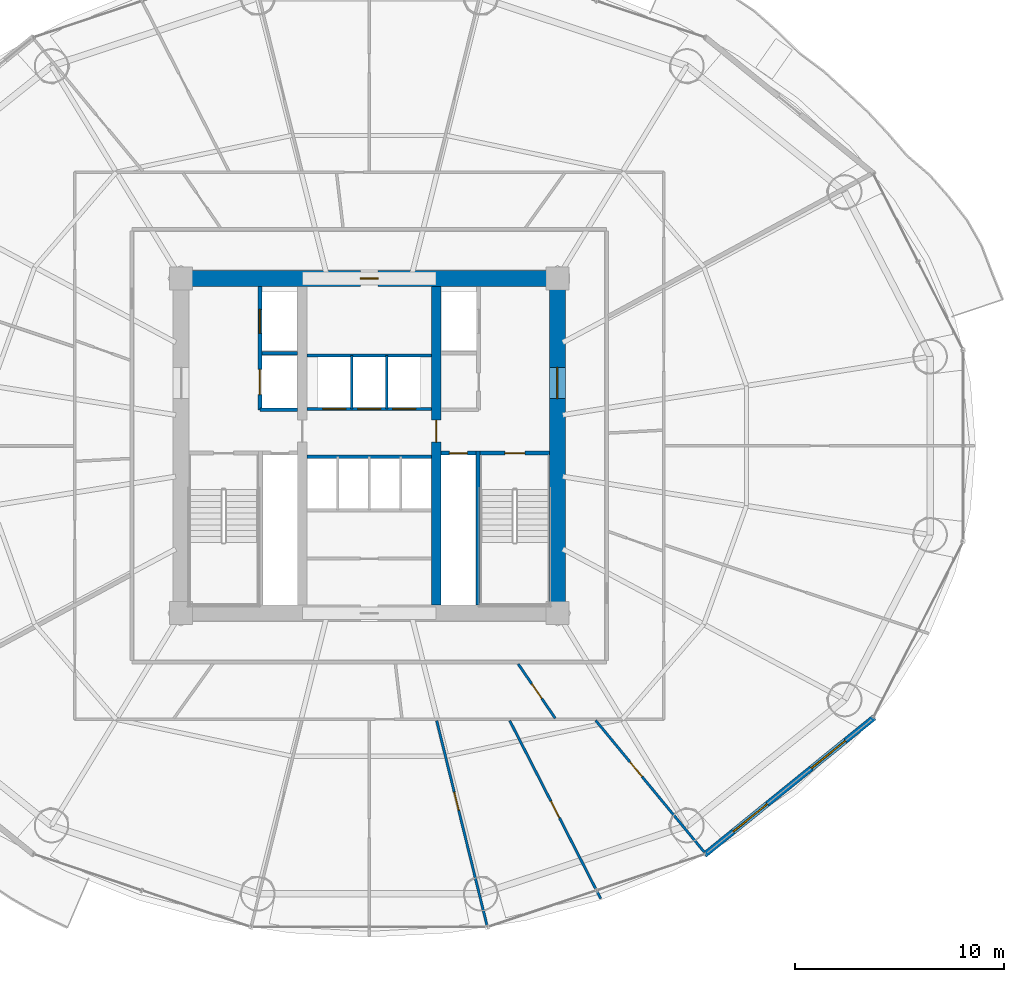
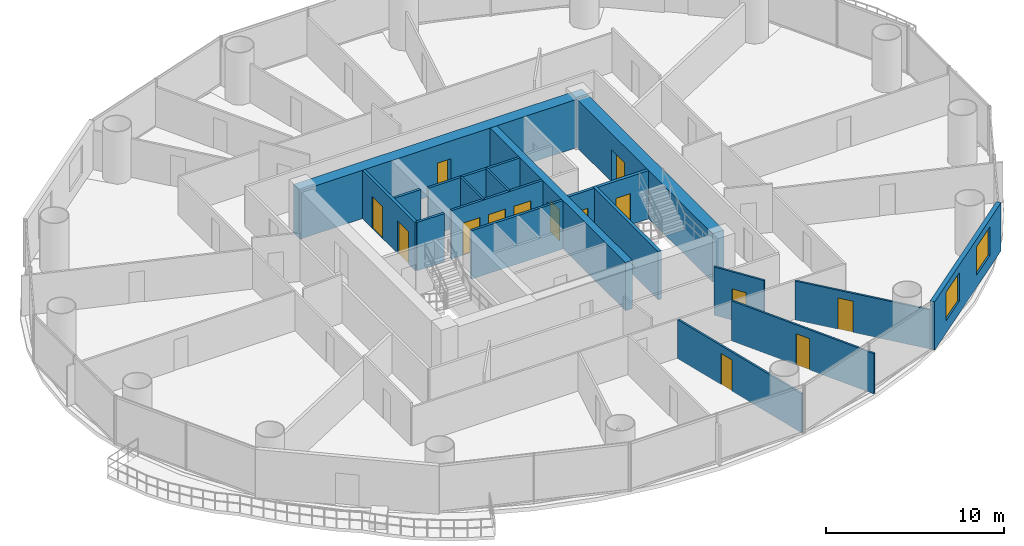
# One storey, part 24 of 30: 19 walls, 14 doors, 2 windows, 16 openings.
"""IFC4 building model written with IfcOpenShell, lengths in metres."""

from ifc_helpers import new_model, si_unit, direction, frame, frame_2d, origin, place, context, subcontext, project, spatial, rectangle, extrude, source, transform, mapped, material, layer, layer_set, type_object, element, fill, save


model = new_model("IFC4")

# Units and contexts
model_context = context("Model", 3, precision=1e-05, world=origin(), true_north=direction((-0.2419218956, 0.970295726276)))
body_context = subcontext(model_context, "Body", "Model", "MODEL_VIEW")
ifc_project = project(units=[si_unit("LENGTHUNIT", "METRE"), si_unit("AREAUNIT", "SQUARE_METRE"), si_unit("VOLUMEUNIT", "CUBIC_METRE"), si_unit("PLANEANGLEUNIT", "RADIAN"), si_unit("MASSUNIT", "GRAM", prefix="KILO")], contexts=[model_context])

# Site, building, storey
site_placement = place(None, origin())
site = spatial("IfcSite", under=ifc_project, at=site_placement, CompositionType="ELEMENT")
building_placement = place(site_placement, origin())
building = spatial("IfcBuilding", under=site, at=building_placement, Name="Cobrevalo Terracotta Tower", CompositionType="ELEMENT")
storey_placement = place(building_placement, frame((0.0, 0.0, 63.60009765625)))
storey = spatial("IfcBuildingStorey", under=building, at=storey_placement, Name="L16", CompositionType="ELEMENT", Elevation=63.60009765625)

# Wall, opening, door
ifc_material_1 = material(Name="Concrete C60", Category="concrete")
ifc_layer_1 = layer(ifc_material_1, 0.75)
ifc_layer_set_1 = layer_set([ifc_layer_1], Name="Concrete C60")
wall_type_1 = type_object("IfcWallType", Name="Core shear wall 750 mm Concrete C60", PredefinedType="SHEAR", material=ifc_layer_set_1)
wall_1_placement = place(storey_placement, frame((28.625, 34.800048828125, 0.0), z_axis=(0.0, 0.0, 1.0), x_axis=(1.0, 0.0, 0.0)))
wall_1 = element("IfcWall", 1, at=wall_1_placement, inside=storey, type_object=wall_type_1, Name="L16 north core shear wall", PredefinedType="SHEAR", context=body_context, shape_type="SweptSolid", body=[
    extrude(rectangle(XDim=18.75, YDim=0.75, at=frame_2d((9.375, 0.0))), origin(), (0.0, 0.0, 1.0), 3.31982421875),
])
opening_1_placement = place(wall_1_placement, frame((8.949951171875, 0.0, 0.0)))
opening_1 = element("IfcOpeningElement", 2, at=opening_1_placement, cuts=wall_1, Name="Opening ID-22", PredefinedType="OPENING", context=body_context, shape_type="SweptSolid", body=[
    extrude(rectangle(XDim=0.85009765625, YDim=2.10009765625, at=frame_2d((0.425048828125, 1.050048828125))), frame((0.0, 0.385009765625, 0.0), z_axis=(0.0, -1.0, 0.0), x_axis=(1.0, 0.0, 0.0)), (0.0, 0.0, 1.0), 0.77001953125),
])
ifc_material_2 = material(Name="Powder-coated steel", Category="steel")
door_type_1 = type_object("IfcDoorType", Name="Riser shaft & meter closet fire access door 850x2100 EI 60", OperationType="NOTDEFINED", PredefinedType="DOOR", material=ifc_material_2)
shared_shape_1 = source(origin(), body_context, "Body", "SweptSolid", [
    extrude(rectangle(XDim=0.85009765625, YDim=2.10009765625, at=frame_2d((0.425048828125, 1.050048828125))), frame((0.0, 0.02490234375, 0.0), z_axis=(0.0, -1.0, 0.0), x_axis=(1.0, 0.0, 0.0)), (0.0, 0.0, 1.0), 0.050048828125),
])
door_1_placement = place(opening_1_placement, frame((0.85009765625, 0.0, 0.0), z_axis=(0.0, 0.0, 1.0), x_axis=(-1.0, 0.0, 0.0)))
door_1 = element("IfcDoor", 3, at=door_1_placement, inside=storey, type_object=door_type_1, Name="L16 core north service door Floor Electrical Switchroom", OperationType="SINGLE_SWING_LEFT", OverallHeight=2.10009765625, OverallWidth=0.85009765625, PredefinedType="DOOR", context=body_context, shape_type="MappedRepresentation", body=[
    mapped(shared_shape_1, transform((0.0, 0.0, 0.0), scale=1.0)),
])
fill(opening_1, door_1)

wall_2_placement = place(storey_placement, frame((47.0, 19.175048828125, 0.0), z_axis=(0.0, 0.0, 1.0), x_axis=(0.0, 1.0, 0.0)))
wall_2 = element("IfcWall", 4, at=wall_2_placement, inside=storey, type_object=wall_type_1, Name="L16 east core shear wall", PredefinedType="SHEAR", context=body_context, shape_type="SweptSolid", body=[
    extrude(rectangle(XDim=15.25, YDim=0.75, at=frame_2d((7.625, 0.0))), origin(), (0.0, 0.0, 1.0), 3.31982421875),
])
opening_2_placement = place(wall_2_placement, frame((9.875, 0.0, 0.0)))
opening_2 = element("IfcOpeningElement", 5, at=opening_2_placement, cuts=wall_2, Name="Opening ID-14", PredefinedType="OPENING", context=body_context, shape_type="SweptSolid", body=[
    extrude(rectangle(XDim=1.5, YDim=2.199951171875, at=frame_2d((0.75, 1.10009765625))), frame((0.0, 0.385009765625, 0.0), z_axis=(0.0, -1.0, 0.0), x_axis=(1.0, 0.0, 0.0)), (0.0, 0.0, 1.0), 0.77001953125),
])
ifc_material_3 = material(Name="Galvanized fire-rated steel", Category="steel")
door_type_2 = type_object("IfcDoorType", Name="Core cross-lobby double fire door 1500x2200 EI 90", OperationType="NOTDEFINED", PredefinedType="DOOR", material=ifc_material_3)
shared_shape_2 = source(origin(), body_context, "Body", "SweptSolid", [
    extrude(rectangle(XDim=1.5, YDim=2.199951171875, at=frame_2d((0.75, 1.10009765625))), frame((0.0, 0.02490234375, 0.0), z_axis=(0.0, -1.0, 0.0), x_axis=(1.0, 0.0, 0.0)), (0.0, 0.0, 1.0), 0.050048828125),
])
door_2_placement = place(opening_2_placement, frame((1.5, 0.0, 0.0), z_axis=(0.0, 0.0, 1.0), x_axis=(-1.0, 0.0, 0.0)))
door_2 = element("IfcDoor", 6, at=door_2_placement, inside=storey, type_object=door_type_2, Name="L16 east firefighting lobby entrance door", OperationType="DOUBLE_DOOR_SINGLE_SWING", OverallHeight=2.199951171875, OverallWidth=1.5, PredefinedType="DOOR", context=body_context, shape_type="MappedRepresentation", body=[
    mapped(shared_shape_2, transform((0.0, 0.0, 0.0), scale=1.0)),
])
fill(opening_2, door_2)

# Walls
ifc_material_4 = material(Name="Gypsum board on steel stud", Category="steel")
ifc_layer_2 = layer(ifc_material_4, 0.159912109375)
ifc_layer_set_2 = layer_set([ifc_layer_2], Name="Gypsum board on steel stud")
wall_type_2 = type_object("IfcWallType", Name="Fire-rated corridor acoustic partition wall 160 mm", PredefinedType="PARTITIONING", material=ifc_layer_set_2)
wall_3_placement = place(storey_placement, frame((32.860107421875, 31.219970703125, 0.0), z_axis=(0.0, 0.0, 1.0), x_axis=(1.0, 0.0, 0.0)))
element("IfcWall", 7, at=wall_3_placement, inside=storey, type_object=wall_type_2, Name="L16 interior partition IW-L16-FF1-M", PredefinedType="PARTITIONING", context=body_context, shape_type="SweptSolid", body=[
    extrude(rectangle(XDim=1.71484375, YDim=0.159912109375, at=frame_2d((0.857421875, 0.0))), origin(), (0.0, 0.0, 1.0), 3.31982421875),
])
wall_4_placement = place(storey_placement, frame((32.77001953125, 28.52001953125, 0.0), z_axis=(0.0, 0.0, 1.0), x_axis=(1.0, 0.0, 0.0)))
element("IfcWall", 8, at=wall_4_placement, inside=storey, type_object=wall_type_2, Name="L16 interior partition IW-L16-FF1-S", PredefinedType="PARTITIONING", context=body_context, shape_type="SweptSolid", body=[
    extrude(rectangle(XDim=1.804931640625, YDim=0.159912109375, at=frame_2d((0.90234375, 0.0))), origin(), (0.0, 0.0, 1.0), 3.31982421875),
])

# Wall, openings, doors
wall_5_placement = place(storey_placement, frame((35.02490234375, 28.56005859375, 0.0), z_axis=(0.0, 0.0, 1.0), x_axis=(1.0, 0.0, 0.0)))
wall_5 = element("IfcWall", 9, at=wall_5_placement, inside=storey, type_object=wall_type_2, Name="L16 interior partition IW-L16-LB-S", PredefinedType="PARTITIONING", context=body_context, shape_type="SweptSolid", body=[
    extrude(rectangle(XDim=5.9501953125, YDim=0.159912109375, at=frame_2d((2.97509765625, 0.0))), origin(), (0.0, 0.0, 1.0), 3.31982421875),
])
opening_3_placement = place(wall_5_placement, frame((0.760009765625, 0.0, 0.0)))
opening_3 = element("IfcOpeningElement", 10, at=opening_3_placement, cuts=wall_5, Name="Opening LD-01", PredefinedType="OPENING", context=body_context, shape_type="SweptSolid", body=[
    extrude(rectangle(XDim=1.10009765625, YDim=2.199951171875, at=frame_2d((0.550048828125, 1.10009765625))), frame((0.0, 0.08984375, 0.0), z_axis=(0.0, -1.0, 0.0), x_axis=(1.0, 0.0, 0.0)), (0.0, 0.0, 1.0), 0.179931640625),
])
opening_4_placement = place(wall_5_placement, frame((2.425048828125, 0.0, 0.0)))
opening_4 = element("IfcOpeningElement", 11, at=opening_4_placement, cuts=wall_5, Name="Opening LD-01", PredefinedType="OPENING", context=body_context, shape_type="SweptSolid", body=[
    extrude(rectangle(XDim=1.10009765625, YDim=2.199951171875, at=frame_2d((0.550048828125, 1.10009765625))), frame((0.0, 0.08984375, 0.0), z_axis=(0.0, -1.0, 0.0), x_axis=(1.0, 0.0, 0.0)), (0.0, 0.0, 1.0), 0.179931640625),
])
opening_5_placement = place(wall_5_placement, frame((4.090087890625, 0.0, 0.0)))
opening_5 = element("IfcOpeningElement", 12, at=opening_5_placement, cuts=wall_5, Name="Opening LD-01", PredefinedType="OPENING", context=body_context, shape_type="SweptSolid", body=[
    extrude(rectangle(XDim=1.10009765625, YDim=2.199951171875, at=frame_2d((0.550048828125, 1.10009765625))), frame((0.0, 0.08984375, 0.0), z_axis=(0.0, -1.0, 0.0), x_axis=(1.0, 0.0, 0.0)), (0.0, 0.0, 1.0), 0.179931640625),
])
ifc_material_5 = material(Name="Brushed stainless steel", Category="steel")
door_type_3 = type_object("IfcDoorType", Name="Passenger lift landing bi-parting sliding door 1100x2200 EI 90", OperationType="DOUBLE_DOOR_SLIDING", PredefinedType="DOOR", material=ifc_material_5)
shared_shape_3 = source(origin(), body_context, "Body", "SweptSolid", [
    extrude(rectangle(XDim=1.10009765625, YDim=2.199951171875, at=frame_2d((0.550048828125, 1.10009765625))), frame((0.0, 0.02490234375, 0.0), z_axis=(0.0, -1.0, 0.0), x_axis=(1.0, 0.0, 0.0)), (0.0, 0.0, 1.0), 0.050048828125),
])
door_3_placement = place(opening_3_placement, origin())
door_3 = element("IfcDoor", 13, at=door_3_placement, inside=storey, type_object=door_type_3, Name="L16 lift landing door PL-L1", OperationType="DOUBLE_DOOR_SLIDING", OverallHeight=2.199951171875, OverallWidth=1.10009765625, PredefinedType="DOOR", context=body_context, shape_type="MappedRepresentation", body=[
    mapped(shared_shape_3, transform((0.0, 0.0, 0.0), scale=1.0)),
])
fill(opening_3, door_3)
door_4_placement = place(opening_4_placement, origin())
door_4 = element("IfcDoor", 14, at=door_4_placement, inside=storey, type_object=door_type_3, Name="L16 lift landing door PL-L2", OperationType="DOUBLE_DOOR_SLIDING", OverallHeight=2.199951171875, OverallWidth=1.10009765625, PredefinedType="DOOR", context=body_context, shape_type="MappedRepresentation", body=[
    mapped(shared_shape_3, transform((0.0, 0.0, 0.0), scale=1.0)),
])
fill(opening_4, door_4)
door_5_placement = place(opening_5_placement, origin())
door_5 = element("IfcDoor", 15, at=door_5_placement, inside=storey, type_object=door_type_3, Name="L16 lift landing door PL-L3", OperationType="DOUBLE_DOOR_SLIDING", OverallHeight=2.199951171875, OverallWidth=1.10009765625, PredefinedType="DOOR", context=body_context, shape_type="MappedRepresentation", body=[
    mapped(shared_shape_3, transform((0.0, 0.0, 0.0), scale=1.0)),
])
fill(opening_5, door_5)

# Walls
for number, where, z_axis, x_axis, name in (
    (16, (35.02490234375, 31.1201171875, 0.0), (0.0, 0.0, 1.0), (1.0, 0.0, 0.0), "L16 interior partition IW-L16-LB-N"),
    (17, (35.02490234375, 26.280029296875, 0.0), (0.0, 0.0, 1.0), (1.0, 0.0, 0.0), "L16 interior partition IW-L16-MB-N"),
):
    element("IfcWall", number, at=place(storey_placement, frame(where, z_axis=z_axis, x_axis=x_axis)), inside=storey, type_object=wall_type_2, Name=name, PredefinedType="PARTITIONING", context=body_context, shape_type="SweptSolid", body=[
        extrude(rectangle(XDim=5.9501953125, YDim=0.159912109375, at=frame_2d((2.97509765625, 0.0))), origin(), (0.0, 0.0, 1.0), 3.31982421875),
    ])

# Wall, opening, door
ifc_layer_3 = layer(ifc_material_4, 0.179931640625)
ifc_layer_set_3 = layer_set([ifc_layer_3], Name="Gypsum board on steel stud")
wall_type_3 = type_object("IfcWallType", Name="Fire-rated shaft & lobby acoustic partition wall 180 mm", PredefinedType="PARTITIONING", material=ifc_layer_set_3)
wall_6_placement = place(storey_placement, frame((41.425048828125, 26.449951171875, 0.0), z_axis=(0.0, 0.0, 1.0), x_axis=(1.0, 0.0, 0.0)))
wall_6 = element("IfcWall", 18, at=wall_6_placement, inside=storey, type_object=wall_type_3, Name="L16 interior partition IW-L16-RSE-N", PredefinedType="PARTITIONING", context=body_context, shape_type="SweptSolid", body=[
    extrude(rectangle(XDim=1.675048828125, YDim=0.179931640625, at=frame_2d((0.83740234375, 0.0))), origin(), (0.0, 0.0, 1.0), 3.31982421875),
])
opening_6_placement = place(wall_6_placement, frame((0.41259765625, 0.0, 0.0)))
opening_6 = element("IfcOpeningElement", 19, at=opening_6_placement, cuts=wall_6, Name="Opening ID-22", PredefinedType="OPENING", context=body_context, shape_type="SweptSolid", body=[
    extrude(rectangle(XDim=0.85009765625, YDim=2.10009765625, at=frame_2d((0.425048828125, 1.050048828125))), frame((0.0, 0.10009765625, 0.0), z_axis=(0.0, -1.0, 0.0), x_axis=(1.0, 0.0, 0.0)), (0.0, 0.0, 1.0), 0.199951171875),
])
door_6_placement = place(opening_6_placement, origin())
door_6 = element("IfcDoor", 20, at=door_6_placement, inside=storey, type_object=door_type_1, Name="L16 riser access door RSE", OperationType="SINGLE_SWING_RIGHT", OverallHeight=2.10009765625, OverallWidth=0.85009765625, PredefinedType="DOOR", context=body_context, shape_type="MappedRepresentation", body=[
    mapped(shared_shape_1, transform((0.0, 0.0, 0.0), scale=1.0)),
])
fill(opening_6, door_6)

# Wall, openings, doors
wall_7_placement = place(storey_placement, frame((32.77001953125, 28.52001953125, 0.0), z_axis=(0.0, 0.0, 1.0), x_axis=(0.0, 1.0, 0.0)))
wall_7 = element("IfcWall", 21, at=wall_7_placement, inside=storey, type_object=wall_type_3, Name="L16 interior partition IW-L16-FF1-W", PredefinedType="PARTITIONING", context=body_context, shape_type="SweptSolid", body=[
    extrude(rectangle(XDim=5.905029296875, YDim=0.179931640625, at=frame_2d((2.95263671875, 0.0))), origin(), (0.0, 0.0, 1.0), 3.31982421875),
])
opening_7_placement = place(wall_7_placement, frame((3.655029296875, 0.0, 0.0)))
opening_7 = element("IfcOpeningElement", 22, at=opening_7_placement, cuts=wall_7, Name="Opening LD-02", PredefinedType="OPENING", context=body_context, shape_type="SweptSolid", body=[
    extrude(rectangle(XDim=1.14990234375, YDim=2.199951171875, at=frame_2d((0.574951171875, 1.10009765625))), frame((0.0, 0.10009765625, 0.0), z_axis=(0.0, -1.0, 0.0), x_axis=(1.0, 0.0, 0.0)), (0.0, 0.0, 1.0), 0.199951171875),
])
opening_8_placement = place(wall_7_placement, frame((0.72998046875, 0.0, 0.0)))
opening_8 = element("IfcOpeningElement", 23, at=opening_8_placement, cuts=wall_7, Name="Opening LD-03", PredefinedType="OPENING", context=body_context, shape_type="SweptSolid", body=[
    extrude(rectangle(XDim=1.199951171875, YDim=2.25, at=frame_2d((0.60009765625, 1.125))), frame((0.0, 0.10009765625, 0.0), z_axis=(0.0, -1.0, 0.0), x_axis=(1.0, 0.0, 0.0)), (0.0, 0.0, 1.0), 0.199951171875),
])
door_type_4 = type_object("IfcDoorType", Name="Firefighting lift landing bi-parting sliding door 1150x2200 EI 120", OperationType="DOUBLE_DOOR_SLIDING", PredefinedType="DOOR", material=ifc_material_5)
shared_shape_4 = source(origin(), body_context, "Body", "SweptSolid", [
    extrude(rectangle(XDim=1.14990234375, YDim=2.199951171875, at=frame_2d((0.574951171875, 1.10009765625))), frame((0.0, 0.02490234375, 0.0), z_axis=(0.0, -1.0, 0.0), x_axis=(1.0, 0.0, 0.0)), (0.0, 0.0, 1.0), 0.050048828125),
])
door_7_placement = place(opening_7_placement, origin())
door_7 = element("IfcDoor", 24, at=door_7_placement, inside=storey, type_object=door_type_4, Name="L16 lift landing door FF-1", OperationType="DOUBLE_DOOR_SLIDING", OverallHeight=2.199951171875, OverallWidth=1.14990234375, PredefinedType="DOOR", context=body_context, shape_type="MappedRepresentation", body=[
    mapped(shared_shape_4, transform((0.0, 0.0, 0.0), scale=1.0)),
])
fill(opening_7, door_7)
door_type_5 = type_object("IfcDoorType", Name="Service lift landing bi-parting sliding door 1200x2250 EI 120", OperationType="DOUBLE_DOOR_SLIDING", PredefinedType="DOOR", material=ifc_material_5)
shared_shape_5 = source(origin(), body_context, "Body", "SweptSolid", [
    extrude(rectangle(XDim=1.199951171875, YDim=2.25, at=frame_2d((0.60009765625, 1.125))), frame((0.0, 0.02490234375, 0.0), z_axis=(0.0, -1.0, 0.0), x_axis=(1.0, 0.0, 0.0)), (0.0, 0.0, 1.0), 0.050048828125),
])
door_8_placement = place(opening_8_placement, origin())
door_8 = element("IfcDoor", 25, at=door_8_placement, inside=storey, type_object=door_type_5, Name="L16 lift landing door SV-1", OperationType="DOUBLE_DOOR_SLIDING", OverallHeight=2.25, OverallWidth=1.199951171875, PredefinedType="DOOR", context=body_context, shape_type="MappedRepresentation", body=[
    mapped(shared_shape_5, transform((0.0, 0.0, 0.0), scale=1.0)),
])
fill(opening_8, door_8)

# Walls
ifc_material_6 = material(Name="Autoclaved aerated concrete block", Category="concrete")
ifc_layer_4 = layer(ifc_material_6, 0.1201171875)
ifc_layer_set_4 = layer_set([ifc_layer_4], Name="Autoclaved aerated concrete block")
wall_type_4 = type_object("IfcWallType", Name="Fire-rated wet-room & core service partition 120 mm", PredefinedType="PARTITIONING", material=ifc_layer_set_4)
for number, where, z_axis, x_axis, name in (
    (26, (37.169921875, 28.56005859375, 0.0), (0.0, 0.0, 1.0), (0.0, 1.0, 0.0), "L16 interior partition IW-L16-LB-D1"),
    (27, (38.830078125, 28.56005859375, 0.0), (0.0, 0.0, 1.0), (0.0, 1.0, 0.0), "L16 interior partition IW-L16-LB-D2"),
):
    element("IfcWall", number, at=place(storey_placement, frame(where, z_axis=z_axis, x_axis=x_axis)), inside=storey, type_object=wall_type_4, Name=name, PredefinedType="PARTITIONING", context=body_context, shape_type="SweptSolid", body=[
        extrude(rectangle(XDim=2.56005859375, YDim=0.1201171875, at=frame_2d((1.280029296875, 0.0))), origin(), (0.0, 0.0, 1.0), 3.31982421875),
    ])

# Wall, openings, windows
ifc_layer_5 = layer(ifc_material_6, 0.280029296875)
ifc_layer_set_5 = layer_set([ifc_layer_5], Name="Autoclaved aerated concrete block")
wall_type_5 = type_object("IfcWallType", Name="Insulated tower spandrel & pier wall 280 mm with terracotta rainscreen", PredefinedType="SOLIDWALL", material=ifc_layer_set_5)
wall_8_placement = place(storey_placement, frame((54.03271484375, 7.235107421875, 0.0), z_axis=(0.0, 0.0, 1.0), x_axis=(0.777016782851, 0.629479879875, 0.0)))
wall_8 = element("IfcWall", 28, at=wall_8_placement, inside=storey, type_object=wall_type_5, Name="L16 terracotta rainscreen pier wall S14", PredefinedType="SOLIDWALL", context=body_context, shape_type="SweptSolid", body=[
    extrude(rectangle(XDim=10.446533203125, YDim=0.280029296875, at=frame_2d((5.22314453125, 0.0))), origin(), (0.0, 0.0, 1.0), 3.31982421875),
])
opening_9_placement = place(wall_8_placement, frame((1.7705078125, 0.0, 0.85009765625)))
opening_9 = element("IfcOpeningElement", 29, at=opening_9_placement, cuts=wall_8, Name="Opening WN-10", PredefinedType="OPENING", context=body_context, shape_type="SweptSolid", body=[
    extrude(rectangle(XDim=2.10009765625, YDim=1.949951171875, at=frame_2d((1.050048828125, 0.97509765625))), frame((0.0, 0.14990234375, 0.0), z_axis=(0.0, -1.0, 0.0), x_axis=(1.0, 0.0, 0.0)), (0.0, 0.0, 1.0), 0.300048828125),
])
opening_10_placement = place(wall_8_placement, frame((6.576171875, 0.0, 0.85009765625)))
opening_10 = element("IfcOpeningElement", 30, at=opening_10_placement, cuts=wall_8, Name="Opening WN-10", PredefinedType="OPENING", context=body_context, shape_type="SweptSolid", body=[
    extrude(rectangle(XDim=2.10009765625, YDim=1.949951171875, at=frame_2d((1.050048828125, 0.97509765625))), frame((0.0, 0.14990234375, 0.0), z_axis=(0.0, -1.0, 0.0), x_axis=(1.0, 0.0, 0.0)), (0.0, 0.0, 1.0), 0.300048828125),
])
ifc_material_7 = material(Name="Solar-control low-E double glazing", Category="glass")
window_type = type_object("IfcWindowType", Name="Wide panoramic low-E aluminium window 2100x1950", PartitioningType="SINGLE_PANEL", PredefinedType="WINDOW", material=ifc_material_7)
shared_shape_6 = source(origin(), body_context, "Body", "SweptSolid", [
    extrude(rectangle(XDim=2.10009765625, YDim=1.949951171875, at=frame_2d((1.050048828125, 0.97509765625))), frame((0.0, 0.030029296875, 0.0), z_axis=(0.0, -1.0, 0.0), x_axis=(1.0, 0.0, 0.0)), (0.0, 0.0, 1.0), 0.06005859375),
])
window_1_placement = place(opening_9_placement, origin())
window_1 = element("IfcWindow", 31, at=window_1_placement, inside=storey, type_object=window_type, Name="L16 suite window S14A", OverallHeight=1.949951171875, OverallWidth=2.10009765625, PartitioningType="SINGLE_PANEL", PredefinedType="WINDOW", context=body_context, shape_type="MappedRepresentation", body=[
    mapped(shared_shape_6, transform((0.0, 0.0, 0.0), scale=1.0)),
])
fill(opening_9, window_1)
window_2_placement = place(opening_10_placement, origin())
window_2 = element("IfcWindow", 32, at=window_2_placement, inside=storey, type_object=window_type, Name="L16 suite window S14B", OverallHeight=1.949951171875, OverallWidth=2.10009765625, PartitioningType="SINGLE_PANEL", PredefinedType="WINDOW", context=body_context, shape_type="MappedRepresentation", body=[
    mapped(shared_shape_6, transform((0.0, 0.0, 0.0), scale=1.0)),
])
fill(opening_10, window_2)

# Wall, opening, door
ifc_material_8 = material(Name="Concrete C55", Category="concrete")
ifc_layer_6 = layer(ifc_material_8, 0.449951171875)
ifc_layer_set_6 = layer_set([ifc_layer_6], Name="Concrete C55")
wall_type_6 = type_object("IfcWallType", Name="Internal core shear web wall 450 mm Concrete C55", PredefinedType="SHEAR", material=ifc_layer_set_6)
wall_9_placement = place(storey_placement, frame((41.199951171875, 19.175048828125, 0.0), z_axis=(0.0, 0.0, 1.0), x_axis=(0.0, 1.0, 0.0)))
wall_9 = element("IfcWall", 33, at=wall_9_placement, inside=storey, type_object=wall_type_6, Name="L16 internal core shear wall WEB-E", PredefinedType="SHEAR", context=body_context, shape_type="SweptSolid", body=[
    extrude(rectangle(XDim=15.25, YDim=0.449951171875, at=frame_2d((7.625, 0.0))), origin(), (0.0, 0.0, 1.0), 3.31982421875),
])
opening_11_placement = place(wall_9_placement, frame((7.800048828125, 0.0, 0.0)))
opening_11 = element("IfcOpeningElement", 34, at=opening_11_placement, cuts=wall_9, Name="Opening ID-11", PredefinedType="OPENING", context=body_context, shape_type="SweptSolid", body=[
    extrude(rectangle(XDim=1.050048828125, YDim=2.14990234375, at=frame_2d((0.52490234375, 1.074951171875))), frame((0.0, 0.23486328125, 0.0), z_axis=(0.0, -1.0, 0.0), x_axis=(1.0, 0.0, 0.0)), (0.0, 0.0, 1.0), 0.469970703125),
])
door_type_6 = type_object("IfcDoorType", Name="Core concourse cross fire door 1050x2150 EI 90", OperationType="NOTDEFINED", PredefinedType="DOOR", material=ifc_material_3)
shared_shape_7 = source(origin(), body_context, "Body", "SweptSolid", [
    extrude(rectangle(XDim=1.050048828125, YDim=2.14990234375, at=frame_2d((0.52490234375, 1.074951171875))), frame((0.0, 0.02490234375, 0.0), z_axis=(0.0, -1.0, 0.0), x_axis=(1.0, 0.0, 0.0)), (0.0, 0.0, 1.0), 0.050048828125),
])
door_9_placement = place(opening_11_placement, frame((1.050048828125, 0.0, 0.0), z_axis=(0.0, 0.0, 1.0), x_axis=(-1.0, 0.0, 0.0)))
door_9 = element("IfcDoor", 35, at=door_9_placement, inside=storey, type_object=door_type_6, Name="L16 east core concourse cross door", OperationType="SINGLE_SWING_RIGHT", OverallHeight=2.14990234375, OverallWidth=1.050048828125, PredefinedType="DOOR", context=body_context, shape_type="MappedRepresentation", body=[
    mapped(shared_shape_7, transform((0.0, 0.0, 0.0), scale=1.0)),
])
fill(opening_11, door_9)

ifc_layer_7 = layer(ifc_material_4, 0.1201171875)
ifc_layer_set_7 = layer_set([ifc_layer_7], Name="Gypsum board on steel stud")
wall_type_7 = type_object("IfcWallType", Name="Residential internal acoustic stud partition 120 mm", PredefinedType="PARTITIONING", material=ifc_layer_set_7)
wall_10_placement = place(storey_placement, frame((41.226806640625, 13.65478515625, 0.0), z_axis=(0.0, 0.0, 1.0), x_axis=(0.238375747469, -0.97117300365, 0.0)))
wall_10 = element("IfcWall", 36, at=wall_10_placement, inside=storey, type_object=wall_type_7, Name="L16 interior partition IW-L16-U2-ORAD2", PredefinedType="PARTITIONING", context=body_context, shape_type="SweptSolid", body=[
    extrude(rectangle(XDim=10.086181640625, YDim=0.1201171875, at=frame_2d((5.04296875, 0.0))), origin(), (0.0, 0.0, 1.0), 2.68798828125),
])
opening_12_placement = place(wall_10_placement, frame((3.5185546875, 0.0, 0.0)))
opening_12 = element("IfcOpeningElement", 37, at=opening_12_placement, cuts=wall_10, Name="Opening ID-12", PredefinedType="OPENING", context=body_context, shape_type="SweptSolid", body=[
    extrude(rectangle(XDim=0.89990234375, YDim=2.14990234375, at=frame_2d((0.449951171875, 1.074951171875))), frame((0.0, 0.070068359375, 0.0), z_axis=(0.0, -1.0, 0.0), x_axis=(1.0, 0.0, 0.0)), (0.0, 0.0, 1.0), 0.14013671875),
])
ifc_material_9 = material(Name="Engineered timber", Category="wood")
door_type_7 = type_object("IfcDoorType", Name="Internal residence & suite timber door 900x2150", OperationType="NOTDEFINED", PredefinedType="DOOR", material=ifc_material_9)
shared_shape_8 = source(origin(), body_context, "Body", "SweptSolid", [
    extrude(rectangle(XDim=0.89990234375, YDim=2.14990234375, at=frame_2d((0.449951171875, 1.074951171875))), frame((0.0, 0.02490234375, 0.0), z_axis=(0.0, -1.0, 0.0), x_axis=(1.0, 0.0, 0.0)), (0.0, 0.0, 1.0), 0.050048828125),
])
door_10_placement = place(opening_12_placement, frame((0.89990234375, 0.0, 0.0), z_axis=(0.0, 0.0, 1.0), x_axis=(-1.0, 0.0, 0.0)))
door_10 = element("IfcDoor", 38, at=door_10_placement, inside=storey, type_object=door_type_7, Name="Flat L16B Principal Guest Bedroom internal door", OperationType="SINGLE_SWING_RIGHT", OverallHeight=2.14990234375, OverallWidth=0.89990234375, PredefinedType="DOOR", context=body_context, shape_type="MappedRepresentation", body=[
    mapped(shared_shape_8, transform((0.0, 0.0, 0.0), scale=1.0)),
])
fill(opening_12, door_10)

wall_11_placement = place(storey_placement, frame((44.716796875, 13.65966796875, 0.0), z_axis=(0.0, 0.0, 1.0), x_axis=(0.455131303234, -0.890424335256, 0.0)))
wall_11 = element("IfcWall", 39, at=wall_11_placement, inside=storey, type_object=wall_type_7, Name="L16 interior partition IW-L16-U2-ORAD3M1", PredefinedType="PARTITIONING", context=body_context, shape_type="SweptSolid", body=[
    extrude(rectangle(XDim=9.562255859375, YDim=0.1201171875, at=frame_2d((4.78125, 0.0))), origin(), (0.0, 0.0, 1.0), 2.761962890625),
])
opening_13_placement = place(wall_11_placement, frame((4.3310546875, 0.0, 0.0)))
opening_13 = element("IfcOpeningElement", 40, at=opening_13_placement, cuts=wall_11, Name="Opening ID-12", PredefinedType="OPENING", context=body_context, shape_type="SweptSolid", body=[
    extrude(rectangle(XDim=0.89990234375, YDim=2.14990234375, at=frame_2d((0.449951171875, 1.074951171875))), frame((0.0, 0.070068359375, 0.0), z_axis=(0.0, -1.0, 0.0), x_axis=(1.0, 0.0, 0.0)), (0.0, 0.0, 1.0), 0.14013671875),
])
door_11_placement = place(opening_13_placement, frame((0.89990234375, 0.0, 0.0), z_axis=(0.0, 0.0, 1.0), x_axis=(-1.0, 0.0, 0.0)))
door_11 = element("IfcDoor", 41, at=door_11_placement, inside=storey, type_object=door_type_7, Name="Flat L16B Principal Guest Bedroom internal door", OperationType="SINGLE_SWING_LEFT", OverallHeight=2.14990234375, OverallWidth=0.89990234375, PredefinedType="DOOR", context=body_context, shape_type="MappedRepresentation", body=[
    mapped(shared_shape_8, transform((0.0, 0.0, 0.0), scale=1.0)),
])
fill(opening_13, door_11)

wall_12_placement = place(storey_placement, frame((48.828857421875, 13.667236328125, 0.0), z_axis=(0.0, 0.0, 1.0), x_axis=(0.636177533893, -0.771542704826, 0.0)))
wall_12 = element("IfcWall", 42, at=wall_12_placement, inside=storey, type_object=wall_type_7, Name="L16 interior partition IW-L16-U2-ORAD3", PredefinedType="PARTITIONING", context=body_context, shape_type="SweptSolid", body=[
    extrude(rectangle(XDim=8.1865234375, YDim=0.1201171875, at=frame_2d((4.09326171875, 0.0))), origin(), (0.0, 0.0, 1.0), 2.68798828125),
])
opening_14_placement = place(wall_12_placement, frame((2.584228515625, 0.0, 0.0)))
opening_14 = element("IfcOpeningElement", 43, at=opening_14_placement, cuts=wall_12, Name="Opening ID-12", PredefinedType="OPENING", context=body_context, shape_type="SweptSolid", body=[
    extrude(rectangle(XDim=0.89990234375, YDim=2.14990234375, at=frame_2d((0.449951171875, 1.074951171875))), frame((0.0, 0.070068359375, 0.0), z_axis=(0.0, -1.0, 0.0), x_axis=(1.0, 0.0, 0.0)), (0.0, 0.0, 1.0), 0.14013671875),
])
door_12_placement = place(opening_14_placement, frame((0.89990234375, 0.0, 0.0), z_axis=(0.0, 0.0, 1.0), x_axis=(-1.0, 0.0, 0.0)))
door_12 = element("IfcDoor", 44, at=door_12_placement, inside=storey, type_object=door_type_7, Name="Flat L16B Principal Guest Bedroom internal door", OperationType="SINGLE_SWING_RIGHT", OverallHeight=2.14990234375, OverallWidth=0.89990234375, PredefinedType="DOOR", context=body_context, shape_type="MappedRepresentation", body=[
    mapped(shared_shape_8, transform((0.0, 0.0, 0.0), scale=1.0)),
])
fill(opening_14, door_12)

wall_13_placement = place(storey_placement, frame((45.123291015625, 16.364990234375, 0.0), z_axis=(0.0, 0.0, 1.0), x_axis=(0.563762888243, -0.825936683917, 0.0)))
wall_13 = element("IfcWall", 45, at=wall_13_placement, inside=storey, type_object=wall_type_7, Name="L16 interior partition IW-L16-U2-IRAD3", PredefinedType="PARTITIONING", context=body_context, shape_type="SweptSolid", body=[
    extrude(rectangle(XDim=3.146484375, YDim=0.1201171875, at=frame_2d((1.5732421875, 0.0))), origin(), (0.0, 0.0, 1.0), 3.31982421875),
])
opening_15_placement = place(wall_13_placement, frame((1.143310546875, 0.0, 0.0)))
opening_15 = element("IfcOpeningElement", 46, at=opening_15_placement, cuts=wall_13, Name="Opening ID-19", PredefinedType="OPENING", context=body_context, shape_type="SweptSolid", body=[
    extrude(rectangle(XDim=0.860107421875, YDim=2.14990234375, at=frame_2d((0.43017578125, 1.074951171875))), frame((0.0, 0.070068359375, 0.0), z_axis=(0.0, -1.0, 0.0), x_axis=(1.0, 0.0, 0.0)), (0.0, 0.0, 1.0), 0.14013671875),
])
ifc_material_10 = material(Name="Moisture-sealed timber", Category="wood")
door_type_8 = type_object("IfcDoorType", Name="Suite bathroom internal timber door 860x2150", OperationType="NOTDEFINED", PredefinedType="DOOR", material=ifc_material_10)
shared_shape_9 = source(origin(), body_context, "Body", "SweptSolid", [
    extrude(rectangle(XDim=0.860107421875, YDim=2.14990234375, at=frame_2d((0.43017578125, 1.074951171875))), frame((0.0, 0.02490234375, 0.0), z_axis=(0.0, -1.0, 0.0), x_axis=(1.0, 0.0, 0.0)), (0.0, 0.0, 1.0), 0.050048828125),
])
door_13_placement = place(opening_15_placement, frame((0.860107421875, 0.0, 0.0), z_axis=(0.0, 0.0, 1.0), x_axis=(-1.0, 0.0, 0.0)))
door_13 = element("IfcDoor", 47, at=door_13_placement, inside=storey, type_object=door_type_8, Name="Flat L16B Primary Bathroom internal door", OperationType="SINGLE_SWING_RIGHT", OverallHeight=2.14990234375, OverallWidth=0.860107421875, PredefinedType="DOOR", context=body_context, shape_type="MappedRepresentation", body=[
    mapped(shared_shape_9, transform((0.0, 0.0, 0.0), scale=1.0)),
])
fill(opening_15, door_13)

# Wall
ifc_material_11 = material(Name="Concrete C50", Category="concrete")
ifc_layer_8 = layer(ifc_material_11, 0.199951171875)
ifc_layer_set_8 = layer_set([ifc_layer_8], Name="Concrete C50")
wall_type_8 = type_object("IfcWallType", Name="Structural core & podium stair-shaft RC wall 200 mm Concrete C50", PredefinedType="SOLIDWALL", material=ifc_layer_set_8)
wall_14_placement = place(storey_placement, frame((43.205078125, 19.175048828125, 0.0), z_axis=(0.0, 0.0, 1.0), x_axis=(0.0, 1.0, 0.0)))
element("IfcWall", 48, at=wall_14_placement, inside=storey, type_object=wall_type_8, Name="L16 ST-2 west structural shaft wall", PredefinedType="SOLIDWALL", context=body_context, shape_type="SweptSolid", body=[
    extrude(rectangle(XDim=7.375, YDim=0.199951171875, at=frame_2d((3.6875, 0.0))), origin(), (0.0, 0.0, 1.0), 3.31982421875),
])

# Wall, opening, door
wall_15_placement = place(storey_placement, frame((43.304931640625, 26.449951171875, 0.0), z_axis=(0.0, 0.0, 1.0), x_axis=(1.0, 0.0, 0.0)))
wall_15 = element("IfcWall", 49, at=wall_15_placement, inside=storey, type_object=wall_type_8, Name="L16 ST-2 north structural shaft wall", PredefinedType="SOLIDWALL", context=body_context, shape_type="SweptSolid", body=[
    extrude(rectangle(XDim=3.320068359375, YDim=0.199951171875, at=frame_2d((1.66015625, 0.0))), origin(), (0.0, 0.0, 1.0), 3.31982421875),
])
opening_16_placement = place(wall_15_placement, frame((1.18505859375, 0.0, 0.0)))
opening_16 = element("IfcOpeningElement", 50, at=opening_16_placement, cuts=wall_15, Name="Opening ID-04", PredefinedType="OPENING", context=body_context, shape_type="SweptSolid", body=[
    extrude(rectangle(XDim=0.949951171875, YDim=2.14990234375, at=frame_2d((0.47509765625, 1.074951171875))), frame((0.0, 0.10986328125, 0.0), z_axis=(0.0, -1.0, 0.0), x_axis=(1.0, 0.0, 0.0)), (0.0, 0.0, 1.0), 0.219970703125),
])
door_type_9 = type_object("IfcDoorType", Name="Stair & firefighting lobby fire door 950x2150 EI 90", OperationType="NOTDEFINED", PredefinedType="DOOR", material=ifc_material_3)
shared_shape_10 = source(origin(), body_context, "Body", "SweptSolid", [
    extrude(rectangle(XDim=0.949951171875, YDim=2.14990234375, at=frame_2d((0.47509765625, 1.074951171875))), frame((0.0, 0.02490234375, 0.0), z_axis=(0.0, -1.0, 0.0), x_axis=(1.0, 0.0, 0.0)), (0.0, 0.0, 1.0), 0.050048828125),
])
door_14_placement = place(opening_16_placement, frame((0.949951171875, 0.0, 0.0), z_axis=(0.0, 0.0, 1.0), x_axis=(-1.0, 0.0, 0.0)))
door_14 = element("IfcDoor", 51, at=door_14_placement, inside=storey, type_object=door_type_9, Name="L16 protected stair ST2 fire door", OperationType="SINGLE_SWING_RIGHT", OverallHeight=2.14990234375, OverallWidth=0.949951171875, PredefinedType="DOOR", context=body_context, shape_type="MappedRepresentation", body=[
    mapped(shared_shape_10, transform((0.0, 0.0, 0.0), scale=1.0)),
])
fill(opening_16, door_14)

save(model, "model.ifc")
